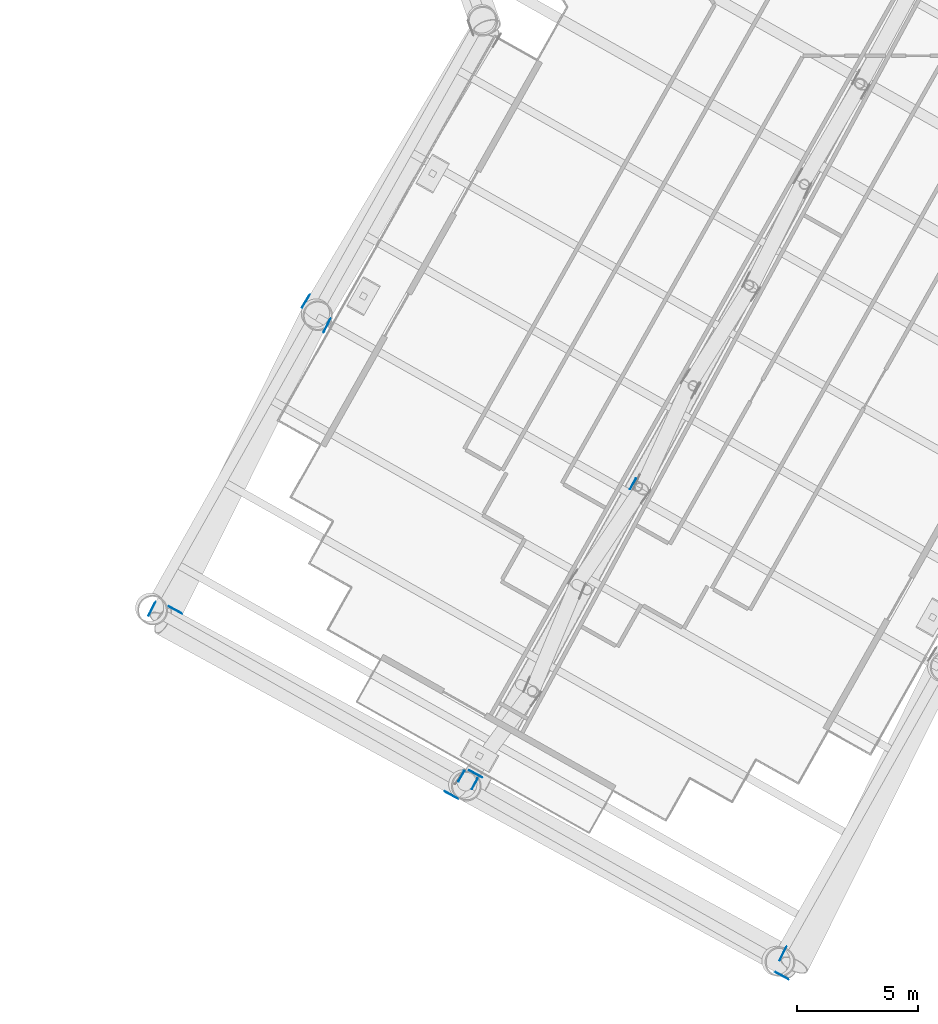
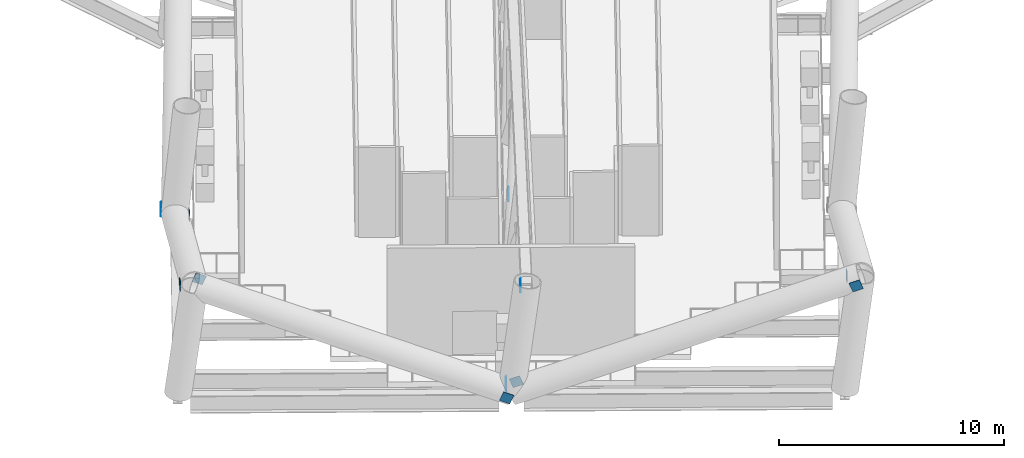
# One storey, part 22 of 39: 11 discrete accessories.
"""IFC4 building model written with IfcOpenShell, lengths in metres."""

from ifc_helpers import new_model, si_unit, direction, frame, origin, origin_2d, place, context, subcontext, project, spatial, rectangle, extrude, material, material_profile, profile_set, type_object, element, save


model = new_model("IFC4")

# Units and contexts
model_context = context("Model", 3, precision=1e-05, world=origin(), true_north=direction((0.0, 1.0)))
body_context = subcontext(model_context, "Body", "Model", "MODEL_VIEW")
ifc_project = project(units=[si_unit("LENGTHUNIT", "METRE"), si_unit("AREAUNIT", "SQUARE_METRE"), si_unit("VOLUMEUNIT", "CUBIC_METRE"), si_unit("PLANEANGLEUNIT", "RADIAN"), si_unit("MASSUNIT", "GRAM", prefix="KILO")], contexts=[model_context])

# Site, building, storey
site_placement = place(None, origin())
site = spatial("IfcSite", under=ifc_project, at=site_placement, CompositionType="ELEMENT")
building_placement = place(site_placement, origin())
building = spatial("IfcBuilding", under=site, at=building_placement, Name="Tarsis Ring Headquarters", CompositionType="ELEMENT")
storey_placement = place(building_placement, frame((0.0, 0.0, 86.800048828125)))
storey = spatial("IfcBuildingStorey", under=building, at=storey_placement, Name="L19", CompositionType="ELEMENT", Elevation=86.800048828125)

# Discrete accessories
ifc_material = material(Name="Structural steel S355", Category="steel")
ifc_material_profile = material_profile(ifc_material, rectangle(XDim=0.02490234375, YDim=0.5, at=origin_2d()), Name="PL 25x500")
ifc_profile_set = profile_set([ifc_material_profile], Name="Structural steel S355")
discrete_accessory_type_1 = type_object("IfcDiscreteAccessoryType", Name="Gusset plate Belt truss 25", PredefinedType="BRACKET", material=ifc_profile_set)
for number, where, z_axis, x_axis, name in (
    (1, (-32.532470703125, -26.292724609375, 0.0), (0.469698455147, 0.786574024159, 0.400854918581), (-0.858572593595, 0.512692014301, 0.0), "Gusset plate GP4"),
    (2, (-31.441650390625, -26.88916015625, 0.0), (-0.410211707535, -0.823841845966, 0.391166163971), (0.895168835685, -0.445727221088, 0.0), "Gusset plate GP4"),
):
    element("IfcDiscreteAccessory", number, at=place(storey_placement, frame(where, z_axis=z_axis, x_axis=x_axis)), inside=storey, type_object=discrete_accessory_type_1, Name=name, PredefinedType="BRACKET", context=body_context, shape_type="SweptSolid", body=[
        extrude(rectangle(XDim=0.02490234375, YDim=0.5, at=origin_2d()), origin(), (0.0, 0.0, 1.0), 0.5),
    ])
discrete_accessory_placement = place(storey_placement, frame((-38.853271484375, -38.968505859375, 6.0), z_axis=(0.410782941365, 0.823519666042, -0.391245108244), x_axis=(-0.894851391134, 0.446364187392, 0.0)))
element("IfcDiscreteAccessory", 3, at=discrete_accessory_placement, inside=storey, type_object=discrete_accessory_type_1, Name="Gusset plate GP4", PredefinedType="BRACKET", context=body_context, shape_type="SweptSolid", body=[
    extrude(rectangle(XDim=0.02490234375, YDim=0.5, at=origin_2d()), origin(), (0.0, 0.0, 1.0), 0.499755859375),
])
for number, where, z_axis, x_axis, name in (
    (4, (-26.233642578125, -46.537109375, 0.0), (-0.807634036235, 0.440438875867, 0.392098023638), (-0.478777749942, -0.877936140138, 0.0), "Gusset plate GP4"),
    (5, (-37.99853515625, -38.699951171875, 6.0), (0.807460304207, -0.440832318439, -0.392013678524), (0.47918671641, 0.877712988862, 0.0), "Gusset plate GP4"),
    (6, (-25.637451171875, -45.445068359375, 0.0), (0.818518242482, -0.447352452335, 0.360421517274), (0.479585621553, 0.877495089217, 0.0), "Gusset plate GP4"),
    (7, (-12.616455078125, -53.9794921875, 6.0), (-0.81837410636, 0.447273676268, -0.36084633926), (-0.479585621553, -0.877495089217, 0.0), "Gusset plate GP4"),
    (8, (-12.875244140625, -53.15673828125, 6.0), (0.407745856255, 0.820374896418, -0.400909398785), (-0.895490710108, 0.445080204131, 0.0), "Gusset plate GP4"),
):
    element("IfcDiscreteAccessory", number, at=place(storey_placement, frame(where, z_axis=z_axis, x_axis=x_axis)), inside=storey, type_object=discrete_accessory_type_1, Name=name, PredefinedType="BRACKET", context=body_context, shape_type="SweptSolid", body=[
        extrude(rectangle(XDim=0.02490234375, YDim=0.5, at=origin_2d()), origin(), (0.0, 0.0, 1.0), 0.5),
    ])
discrete_accessory_type_2 = type_object("IfcDiscreteAccessoryType", Name="Gusset plate Outrigger chord 25", PredefinedType="BRACKET", material=ifc_profile_set)
for number, where, z_axis, x_axis, name in (
    (9, (-26.141357421875, -45.875, 0.25390625), (0.490817627202, 0.871262335252, 0.0), (-0.871262335252, 0.490817627202, 0.0), "Gusset plate GP3"),
    (10, (-25.5849609375, -46.18896484375, 5.5859375), (0.475700898438, 0.879607102759, 0.0), (-0.879607102759, 0.475700898438, 0.0), "Gusset plate GP3"),
    (11, (-18.9521484375, -33.61962890625, 0.508056640625), (0.0, 0.0, 1.0), (-0.871325333947, 0.490705779895, 0.0), "Gusset plate GP3"),
):
    element("IfcDiscreteAccessory", number, at=place(storey_placement, frame(where, z_axis=z_axis, x_axis=x_axis)), inside=storey, type_object=discrete_accessory_type_2, Name=name, PredefinedType="BRACKET", context=body_context, shape_type="SweptSolid", body=[
        extrude(rectangle(XDim=0.02490234375, YDim=0.5, at=origin_2d()), origin(), (0.0, 0.0, 1.0), 0.5),
    ])

save(model, "model.ifc")
